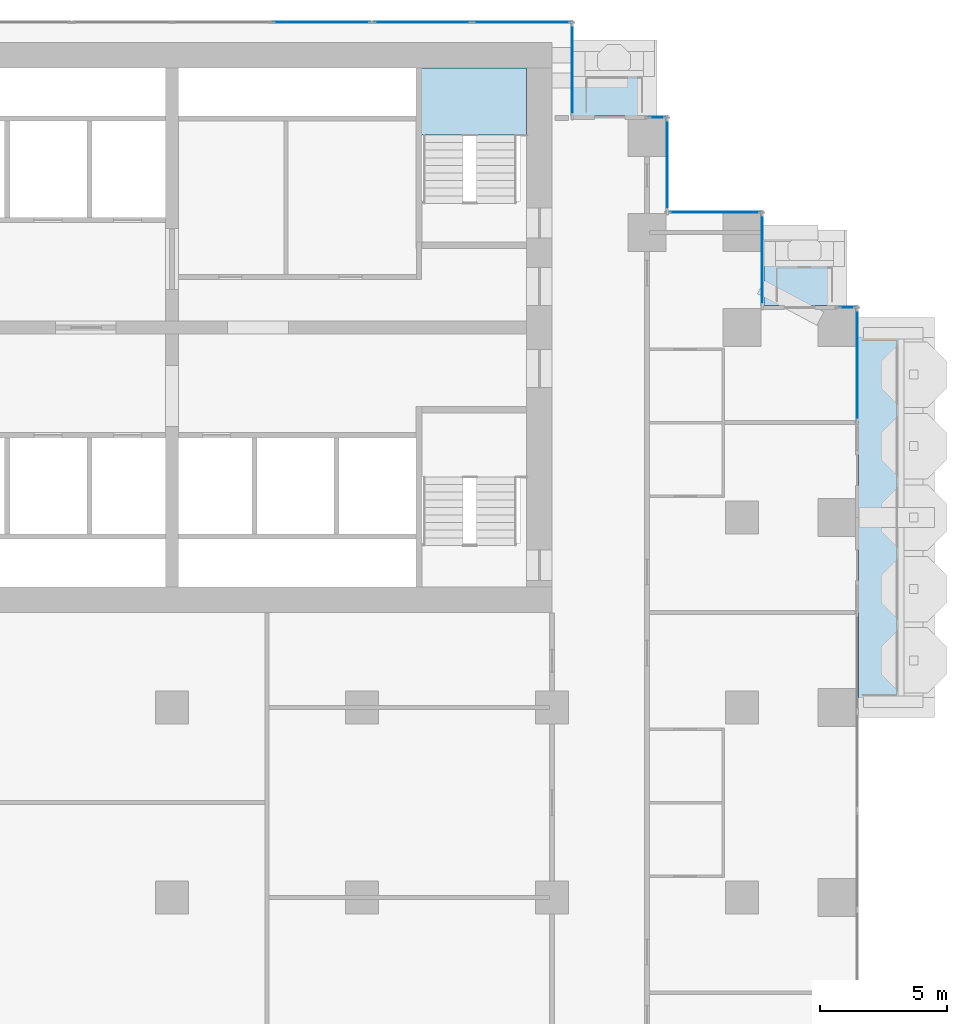
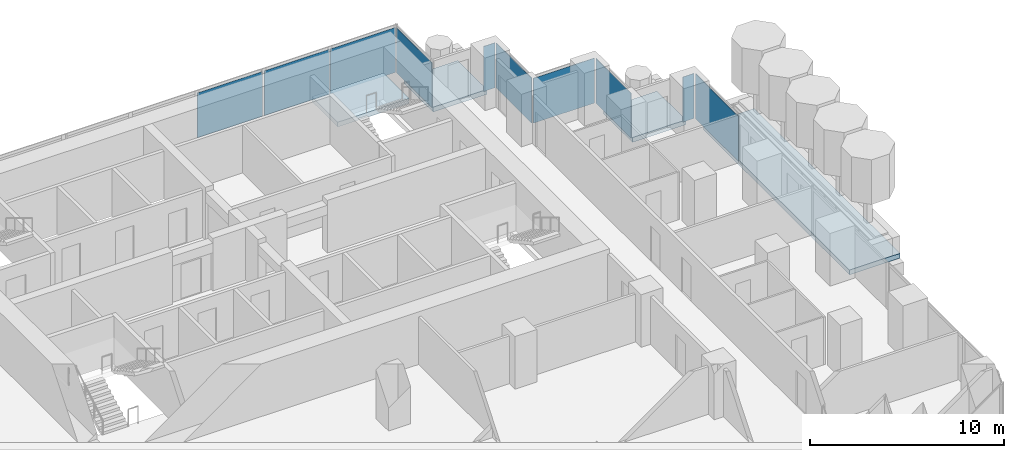
# One storey, part 10 of 19: 10 plates, 4 slabs, 10 elements without a shape of their own.
"""IFC4 building model written with IfcOpenShell, lengths in metres."""

from ifc_helpers import new_model, si_unit, direction, frame, origin, origin_2d, place, context, subcontext, project, spatial, polyline, rectangle, outline, extrude, material, layer, layer_set, type_object, element, aggregate, save


model = new_model("IFC4")

# Units and contexts
model_context = context("Model", 3, precision=1e-05, world=origin(), true_north=direction((0.0, 1.0)))
body_context = subcontext(model_context, "Body", "Model", "MODEL_VIEW")
ifc_project = project(units=[si_unit("LENGTHUNIT", "METRE"), si_unit("AREAUNIT", "SQUARE_METRE"), si_unit("VOLUMEUNIT", "CUBIC_METRE"), si_unit("PLANEANGLEUNIT", "RADIAN"), si_unit("MASSUNIT", "GRAM", prefix="KILO")], contexts=[model_context])

# Site, building, storey
site_placement = place(None, origin())
site = spatial("IfcSite", under=ifc_project, at=site_placement, CompositionType="ELEMENT")
building_placement = place(site_placement, origin())
building = spatial("IfcBuilding", under=site, at=building_placement, Name="Pilkhan Gate Tower", CompositionType="ELEMENT")
storey_placement = place(building_placement, frame((0.0, 0.0, 72.5)))
storey = spatial("IfcBuildingStorey", under=building, at=storey_placement, Name="L16", CompositionType="ELEMENT", Elevation=72.5)

# Slabs
ifc_material_1 = material(Name="Concrete C60/75", Category="concrete")
ifc_layer_1 = layer(ifc_material_1, 0.300048828125)
ifc_layer_set_1 = layer_set([ifc_layer_1], Name="Balcony tray slab TR300")
slab_type_1 = type_object("IfcSlabType", Name="Balcony tray slab TR300", PredefinedType="FLOOR", material=ifc_layer_set_1)
slab_1_placement = place(storey_placement, frame((0.0, 0.0, -0.300048828125)))
element("IfcSlab", 1, at=slab_1_placement, inside=storey, type_object=slab_type_1, Name="Balcony tray L16 E", PredefinedType="FLOOR", context=body_context, shape_type="SweptSolid", body=[
    extrude(outline(polyline([(105.10009765625, 67.5), (105.10009765625, 82.5), (102.10009765625, 82.5), (102.10009765625, 67.5), (105.10009765625, 67.5)])), origin(), (0.0, 0.0, 1.0), 0.300048828125),
])
slab_2_placement = place(storey_placement, frame((0.0, 0.0, -0.300048828125)))
element("IfcSlab", 2, at=slab_2_placement, inside=storey, type_object=slab_type_1, Name="Balcony tray L16 N", PredefinedType="FLOOR", context=body_context, shape_type="SweptSolid", body=[
    extrude(outline(polyline([(94.050048828125, 90.85009765625), (94.050048828125, 93.85009765625), (90.85009765625, 93.85009765625), (90.85009765625, 90.85009765625), (94.050048828125, 90.85009765625)])), origin(), (0.0, 0.0, 1.0), 0.300048828125),
])
slab_3_placement = place(storey_placement, frame((0.0, 0.0, -0.300048828125)))
element("IfcSlab", 3, at=slab_3_placement, inside=storey, type_object=slab_type_1, Name="Balcony tray L16 N", PredefinedType="FLOOR", context=body_context, shape_type="SweptSolid", body=[
    extrude(outline(polyline([(101.550048828125, 83.3701171875), (101.550048828125, 86.35009765625), (98.3701171875, 86.35009765625), (98.3701171875, 83.3701171875), (101.550048828125, 83.3701171875)])), origin(), (0.0, 0.0, 1.0), 0.300048828125),
])

# Curtain wall, plate
ifc_material_2 = material(Name="Pale anodised aluminium, clear low-iron double glazing", Category="aluminium")
curtain_wall_type = type_object("IfcCurtainWallType", Name="Hotel unitised curtain wall CW-H", PredefinedType="USERDEFINED", material=ifc_material_2)
curtain_wall_1_placement = place(storey_placement, origin())
curtain_wall_1 = element("IfcCurtainWall", 4, at=curtain_wall_1_placement, inside=storey, type_object=curtain_wall_type, Name="Hotel unitised curtain wall CW-H L16 E", ObjectType="UNITISED CURTAIN WALL", PredefinedType="USERDEFINED")
ifc_material_3 = material(Name="Clear low-iron double glazing", Category="glass")
ifc_layer_2 = layer(ifc_material_3, 0.035888671875)
ifc_layer_set_2 = layer_set([ifc_layer_2], Name="Glass panel CW-H 36")
plate_type = type_object("IfcPlateType", Name="Glass panel CW-H 36", PredefinedType="CURTAIN_PANEL", material=ifc_layer_set_2)
plate_1_placement = place(storey_placement, frame((102.044921875, 81.0224609375, 0.0), z_axis=(0.0, 0.0, 1.0), x_axis=(0.0, 1.0, 0.0)))
plate_1 = element("IfcPlate", 5, at=plate_1_placement, type_object=plate_type, Name="CW-H panel 1", PredefinedType="CURTAIN_PANEL", context=body_context, shape_type="SweptSolid", body=[
    extrude(rectangle(XDim=4.4150390625, YDim=0.035888671875, at=origin_2d()), origin(), (0.0, 0.0, 1.0), 2.820068359375),
])
aggregate(curtain_wall_1, [plate_1])

curtain_wall_2_placement = place(storey_placement, origin())
curtain_wall_2 = element("IfcCurtainWall", 6, at=curtain_wall_2_placement, inside=storey, type_object=curtain_wall_type, Name="Hotel unitised curtain wall CW-H L16 N", ObjectType="UNITISED CURTAIN WALL", PredefinedType="USERDEFINED")
plate_2_placement = place(storey_placement, frame((101.6474609375, 83.294921875, 0.0), z_axis=(0.0, 0.0, 1.0), x_axis=(1.0, 0.0, 0.0)))
plate_2 = element("IfcPlate", 7, at=plate_2_placement, type_object=plate_type, Name="CW-H panel 1", PredefinedType="CURTAIN_PANEL", context=body_context, shape_type="SweptSolid", body=[
    extrude(rectangle(XDim=0.6650390625, YDim=0.035888671875, at=origin_2d()), origin(), (0.0, 0.0, 1.0), 2.820068359375),
])
aggregate(curtain_wall_2, [plate_2])

curtain_wall_3_placement = place(storey_placement, origin())
curtain_wall_3 = element("IfcCurtainWall", 8, at=curtain_wall_3_placement, inside=storey, type_object=curtain_wall_type, Name="Hotel unitised curtain wall CW-H L16 E", ObjectType="UNITISED CURTAIN WALL", PredefinedType="USERDEFINED")
plate_3_placement = place(storey_placement, frame((98.294921875, 85.169921875, 0.0), z_axis=(0.0, 0.0, 1.0), x_axis=(0.0, 1.0, 0.0)))
plate_3 = element("IfcPlate", 9, at=plate_3_placement, type_object=plate_type, Name="CW-H panel 1", PredefinedType="CURTAIN_PANEL", context=body_context, shape_type="SweptSolid", body=[
    extrude(rectangle(XDim=3.6201171875, YDim=0.035888671875, at=origin_2d()), origin(), (0.0, 0.0, 1.0), 2.820068359375),
])
aggregate(curtain_wall_3, [plate_3])

curtain_wall_4_placement = place(storey_placement, origin())
curtain_wall_4 = element("IfcCurtainWall", 10, at=curtain_wall_4_placement, inside=storey, type_object=curtain_wall_type, Name="Hotel unitised curtain wall CW-H L16 N", ObjectType="UNITISED CURTAIN WALL", PredefinedType="USERDEFINED")
plate_4_placement = place(storey_placement, frame((96.419921875, 87.044921875, 0.0), z_axis=(0.0, 0.0, 1.0), x_axis=(1.0, 0.0, 0.0)))
plate_4 = element("IfcPlate", 11, at=plate_4_placement, type_object=plate_type, Name="CW-H panel 1", PredefinedType="CURTAIN_PANEL", context=body_context, shape_type="SweptSolid", body=[
    extrude(rectangle(XDim=3.6201171875, YDim=0.035888671875, at=origin_2d()), origin(), (0.0, 0.0, 1.0), 2.820068359375),
])
aggregate(curtain_wall_4, [plate_4])

curtain_wall_5_placement = place(storey_placement, origin())
curtain_wall_5 = element("IfcCurtainWall", 12, at=curtain_wall_5_placement, inside=storey, type_object=curtain_wall_type, Name="Hotel unitised curtain wall CW-H L16 E", ObjectType="UNITISED CURTAIN WALL", PredefinedType="USERDEFINED")
plate_5_placement = place(storey_placement, frame((94.544921875, 88.919921875, 0.0), z_axis=(0.0, 0.0, 1.0), x_axis=(0.0, 1.0, 0.0)))
plate_5 = element("IfcPlate", 13, at=plate_5_placement, type_object=plate_type, Name="CW-H panel 1", PredefinedType="CURTAIN_PANEL", context=body_context, shape_type="SweptSolid", body=[
    extrude(rectangle(XDim=3.6201171875, YDim=0.035888671875, at=origin_2d()), origin(), (0.0, 0.0, 1.0), 2.820068359375),
])
aggregate(curtain_wall_5, [plate_5])

curtain_wall_6_placement = place(storey_placement, origin())
curtain_wall_6 = element("IfcCurtainWall", 14, at=curtain_wall_6_placement, inside=storey, type_object=curtain_wall_type, Name="Hotel unitised curtain wall CW-H L16 N", ObjectType="UNITISED CURTAIN WALL", PredefinedType="USERDEFINED")
plate_6_placement = place(storey_placement, frame((94.1474609375, 90.794921875, 0.0), z_axis=(0.0, 0.0, 1.0), x_axis=(1.0, 0.0, 0.0)))
plate_6 = element("IfcPlate", 15, at=plate_6_placement, type_object=plate_type, Name="CW-H panel 1", PredefinedType="CURTAIN_PANEL", context=body_context, shape_type="SweptSolid", body=[
    extrude(rectangle(XDim=0.6650390625, YDim=0.035888671875, at=origin_2d()), origin(), (0.0, 0.0, 1.0), 2.820068359375),
])
aggregate(curtain_wall_6, [plate_6])

curtain_wall_7_placement = place(storey_placement, origin())
curtain_wall_7 = element("IfcCurtainWall", 16, at=curtain_wall_7_placement, inside=storey, type_object=curtain_wall_type, Name="Hotel unitised curtain wall CW-H L16 E", ObjectType="UNITISED CURTAIN WALL", PredefinedType="USERDEFINED")
plate_7_placement = place(storey_placement, frame((90.794921875, 92.669921875, 0.0), z_axis=(0.0, 0.0, 1.0), x_axis=(0.0, 1.0, 0.0)))
plate_7 = element("IfcPlate", 17, at=plate_7_placement, type_object=plate_type, Name="CW-H panel 1", PredefinedType="CURTAIN_PANEL", context=body_context, shape_type="SweptSolid", body=[
    extrude(rectangle(XDim=3.6201171875, YDim=0.035888671875, at=origin_2d()), origin(), (0.0, 0.0, 1.0), 2.820068359375),
])
aggregate(curtain_wall_7, [plate_7])

curtain_wall_8_placement = place(storey_placement, origin())
curtain_wall_8 = element("IfcCurtainWall", 18, at=curtain_wall_8_placement, inside=storey, type_object=curtain_wall_type, Name="Hotel unitised curtain wall CW-H L16 N", ObjectType="UNITISED CURTAIN WALL", PredefinedType="USERDEFINED")
plate_8_placement = place(storey_placement, frame((80.906982421875, 94.544921875, 0.0), z_axis=(0.0, 0.0, 1.0), x_axis=(1.0, 0.0, 0.0)))
plate_8 = element("IfcPlate", 19, at=plate_8_placement, type_object=plate_type, Name="CW-H panel 3", PredefinedType="CURTAIN_PANEL", context=body_context, shape_type="SweptSolid", body=[
    extrude(rectangle(XDim=3.851318359375, YDim=0.035888671875, at=origin_2d()), origin(), (0.0, 0.0, 1.0), 2.820068359375),
])
aggregate(curtain_wall_8, [plate_8])

# Curtain wall, plates
curtain_wall_9_placement = place(storey_placement, origin())
curtain_wall_9 = element("IfcCurtainWall", 20, at=curtain_wall_9_placement, inside=storey, type_object=curtain_wall_type, Name="Hotel unitised curtain wall CW-H L16 N", ObjectType="UNITISED CURTAIN WALL", PredefinedType="USERDEFINED")
plate_9_placement = place(storey_placement, frame((84.88818359375, 94.544921875, 0.0), z_axis=(0.0, 0.0, 1.0), x_axis=(1.0, 0.0, 0.0)))
plate_9 = element("IfcPlate", 21, at=plate_9_placement, type_object=plate_type, Name="CW-H panel 1", PredefinedType="CURTAIN_PANEL", context=body_context, shape_type="SweptSolid", body=[
    extrude(rectangle(XDim=3.851318359375, YDim=0.035888671875, at=origin_2d()), origin(), (0.0, 0.0, 1.0), 2.820068359375),
])
plate_10_placement = place(storey_placement, frame((88.804443359375, 94.544921875, 0.0), z_axis=(0.0, 0.0, 1.0), x_axis=(1.0, 0.0, 0.0)))
plate_10 = element("IfcPlate", 22, at=plate_10_placement, type_object=plate_type, Name="CW-H panel 2", PredefinedType="CURTAIN_PANEL", context=body_context, shape_type="SweptSolid", body=[
    extrude(rectangle(XDim=3.851318359375, YDim=0.035888671875, at=origin_2d()), origin(), (0.0, 0.0, 1.0), 2.820068359375),
])
aggregate(curtain_wall_9, [plate_9, plate_10])

# Stair, slab
ifc_material_4 = material(Name="Concrete C40/50 precast", Category="concrete")
stair_type = type_object("IfcStairType", Name="Stair ST4 165x300", PredefinedType="HALF_TURN_STAIR", material=ifc_material_4)
stair_placement = place(storey_placement, origin())
stair = element("IfcStair", 23, at=stair_placement, inside=storey, type_object=stair_type, Name="Stair ST4 L16", PredefinedType="HALF_TURN_STAIR")
ifc_material_5 = material(Name="Concrete C40/50", Category="concrete")
ifc_layer_3 = layer(ifc_material_5, 0.199951171875)
ifc_layer_set_3 = layer_set([ifc_layer_3], Name="Stair landing SL200")
slab_type_2 = type_object("IfcSlabType", Name="Stair landing SL200", PredefinedType="LANDING", material=ifc_layer_set_3)
slab_4_placement = place(storey_placement, frame((0.0, 0.0, 1.35009765625)))
slab_4 = element("IfcSlab", 24, at=slab_4_placement, type_object=slab_type_2, Name="ST4 landing 1", PredefinedType="LANDING", context=body_context, shape_type="SweptSolid", body=[
    extrude(outline(polyline([(89.0, 90.10009765625), (89.0, 92.75), (84.75, 92.75), (84.75, 90.10009765625), (89.0, 90.10009765625)])), origin(), (0.0, 0.0, 1.0), 0.2998046875),
])
aggregate(stair, [slab_4])

save(model, "model.ifc")
